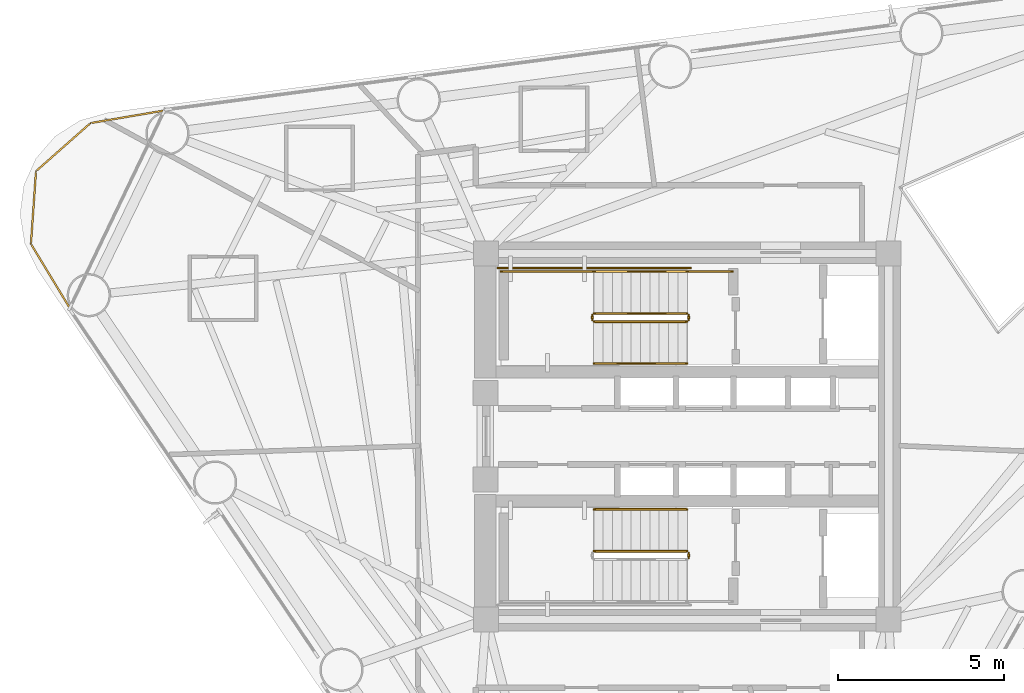
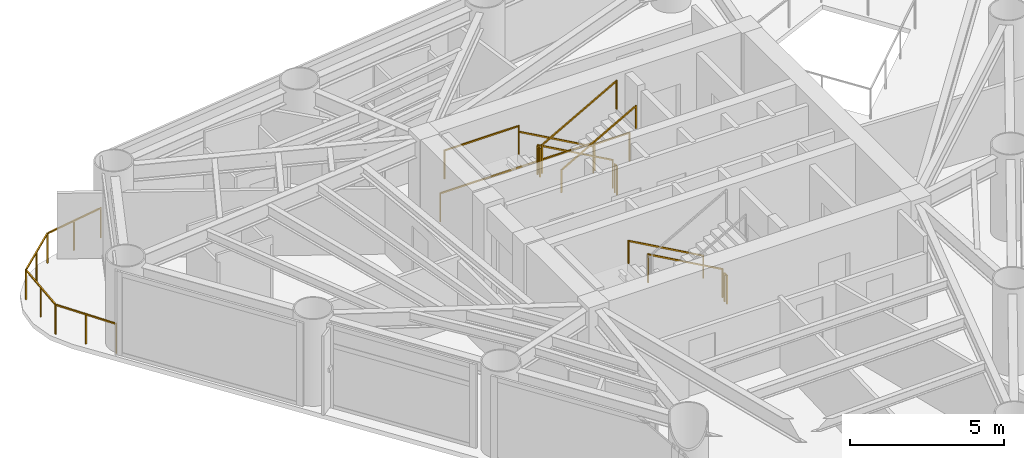
# One storey, part 8 of 9: 13 railings.
"""IFC4 building model written with IfcOpenShell, lengths in metres."""

from ifc_helpers import new_model, si_unit, direction, frame, origin, origin_2d, place, context, subcontext, project, spatial, rectangle, extrude, material, type_object, element, save


model = new_model("IFC4")

# Units and contexts
model_context = context("Model", 3, precision=1e-05, world=origin(), true_north=direction((0.0, 1.0)))
body_context = subcontext(model_context, "Body", "Model", "MODEL_VIEW")
ifc_project = project(units=[si_unit("LENGTHUNIT", "METRE"), si_unit("AREAUNIT", "SQUARE_METRE"), si_unit("VOLUMEUNIT", "CUBIC_METRE"), si_unit("PLANEANGLEUNIT", "RADIAN"), si_unit("MASSUNIT", "GRAM", prefix="KILO")], contexts=[model_context])

# Site, building, storey
site_placement = place(None, origin())
site = spatial("IfcSite", under=ifc_project, at=site_placement, CompositionType="ELEMENT")
building_placement = place(site_placement, origin())
building = spatial("IfcBuilding", under=site, at=building_placement, Name="Yunling Apex Tower", CompositionType="ELEMENT")
storey_placement = place(building_placement, frame((0.0, 0.0, 176.0)))
storey = spatial("IfcBuildingStorey", under=building, at=storey_placement, Name="L43", CompositionType="ELEMENT", Elevation=176.0)

# Railings
ifc_material_1 = material(Name="Bronze anodised aluminium", Category="aluminium")
railing_type_1 = type_object("IfcRailingType", Name="RL-BAL-1200", PredefinedType="BALUSTRADE", material=ifc_material_1)
railing_1_placement = place(storey_placement, frame((-18.567138671875, 3.859375, 0.0)))
element("IfcRailing", 1, at=railing_1_placement, inside=storey, type_object=railing_type_1, Name="RL-CRNSILL-L43-2", PredefinedType="BALUSTRADE", context=body_context, shape_type="SweptSolid", body=[
    extrude(rectangle(XDim=0.0439453125, YDim=0.0439453125, at=origin_2d()), origin(), (0.0, 0.0, 1.0), 1.199951171875),
    extrude(rectangle(XDim=0.0439453125, YDim=0.0439453125, at=origin_2d()), frame((-1.1669921875, 1.927001953125, 0.0)), (0.0, 0.0, 1.0), 1.199951171875),
    extrude(rectangle(XDim=0.050048828125, YDim=0.050048828125, at=origin_2d()), frame((-0.019775390625, 0.03271484375, 1.1748046875), z_axis=(-0.518013473605, 0.855372457566, 0.0), x_axis=(-0.855372457566, -0.518013473605, 0.0)), (0.0, 0.0, 1.0), 2.17626953125),
    extrude(rectangle(XDim=0.0439453125, YDim=0.0439453125, at=origin_2d()), frame((-0.58349609375, 0.96337890625, 0.0)), (0.0, 0.0, 1.0), 1.14599609375),
    extrude(rectangle(XDim=0.0439453125, YDim=0.0439453125, at=origin_2d()), frame((-1.015380859375, 4.114501953125, 0.0)), (0.0, 0.0, 1.0), 1.199951171875),
    extrude(rectangle(XDim=0.050048828125, YDim=0.050048828125, at=origin_2d()), frame((-1.164306640625, 1.96533203125, 1.1748046875), z_axis=(0.069142168872, 0.997606816578, 0.0), x_axis=(-0.997606816578, 0.069142168872, 0.0)), (0.0, 0.0, 1.0), 2.115966796875),
    extrude(rectangle(XDim=0.0439453125, YDim=0.0439453125, at=origin_2d()), frame((-1.09130859375, 3.020751953125, 0.0)), (0.0, 0.0, 1.0), 1.14599609375),
    extrude(rectangle(XDim=0.0439453125, YDim=0.0439453125, at=origin_2d()), frame((0.623046875, 5.560791015625, 0.0)), (0.0, 0.0, 1.0), 1.199951171875),
    extrude(rectangle(XDim=0.050048828125, YDim=0.050048828125, at=origin_2d()), frame((-0.986572265625, 4.139892578125, 1.1748046875), z_axis=(0.749697655483, 0.661780496361, 0.0), x_axis=(-0.661780496361, 0.749697655483, 0.0)), (0.0, 0.0, 1.0), 2.10888671875),
    extrude(rectangle(XDim=0.0439453125, YDim=0.0439453125, at=origin_2d()), frame((-0.1962890625, 4.837646484375, 0.0)), (0.0, 0.0, 1.0), 1.14599609375),
    extrude(rectangle(XDim=0.0439453125, YDim=0.0439453125, at=origin_2d()), frame((2.8447265625, 5.93896484375, 0.0)), (0.0, 0.0, 1.0), 1.199951171875),
    extrude(rectangle(XDim=0.050048828125, YDim=0.050048828125, at=origin_2d()), frame((0.660888671875, 5.567138671875, 1.1748046875), z_axis=(0.985820025914, 0.167806068147, 0.0), x_axis=(-0.167806068147, 0.985820025914, 0.0)), (0.0, 0.0, 1.0), 2.177001953125),
    extrude(rectangle(XDim=0.0439453125, YDim=0.0439453125, at=origin_2d()), frame((1.73388671875, 5.75, 0.0)), (0.0, 0.0, 1.0), 1.14599609375),
])
ifc_material_2 = material(Name="Steel Q355B", Category="steel")
railing_type_2 = type_object("IfcRailingType", Name="RL-GRD-1150", PredefinedType="GUARDRAIL", material=ifc_material_2)
railing_2_placement = place(storey_placement, frame((-0.010009765625, 3.699951171875, 0.15673828125)))
element("IfcRailing", 2, at=railing_2_placement, inside=storey, type_object=railing_type_2, Name="L43 ST-1 stair guard 1", PredefinedType="GUARDRAIL", context=body_context, shape_type="SweptSolid", body=[
    extrude(rectangle(XDim=0.0439453125, YDim=0.0439453125, at=origin_2d()), origin(), (0.0, 0.0, 1.0), 1.14990234375),
    extrude(rectangle(XDim=0.0439453125, YDim=0.0439453125, at=origin_2d()), frame((-2.800048828125, 0.0, 1.568359375)), (0.0, 0.0, 1.0), 1.14990234375),
    extrude(rectangle(XDim=0.050048828125, YDim=0.050048828125, at=origin_2d()), frame((-0.033447265625, 0.0, 1.1435546875), z_axis=(-0.872461907711, 0.0, 0.488682125306), x_axis=(0.0, -1.0, 0.0)), (0.0, 0.0, 1.0), 3.1328125),
])
railing_3_placement = place(storey_placement, frame((-2.860107421875, 3.64990234375, 1.72509765625)))
element("IfcRailing", 3, at=railing_3_placement, inside=storey, type_object=railing_type_2, Name="L43 ST-1 stair guard 2", PredefinedType="GUARDRAIL", context=body_context, shape_type="SweptSolid", body=[
    extrude(rectangle(XDim=0.0439453125, YDim=0.0439453125, at=origin_2d()), origin(), (0.0, 0.0, 1.0), 1.14990234375),
    extrude(rectangle(XDim=0.0439453125, YDim=0.0439453125, at=origin_2d()), frame((0.0, -0.14990234375, 0.0)), (0.0, 0.0, 1.0), 1.14990234375),
    extrude(rectangle(XDim=0.050048828125, YDim=0.050048828125, at=origin_2d()), frame((0.0, -0.038330078125, 1.125), z_axis=(0.0, -1.0, 0.0), x_axis=(1.0, 0.0, 0.0)), (0.0, 0.0, 1.0), 0.0732421875),
])
railing_4_placement = place(storey_placement, frame((-2.81005859375, 4.9599609375, 1.72509765625)))
element("IfcRailing", 4, at=railing_4_placement, inside=storey, type_object=railing_type_2, Name="L43 ST-1 stair guard 3", PredefinedType="GUARDRAIL", context=body_context, shape_type="SweptSolid", body=[
    extrude(rectangle(XDim=0.0439453125, YDim=0.0439453125, at=origin_2d()), origin(), (0.0, 0.0, 1.0), 1.14990234375),
    extrude(rectangle(XDim=0.0439453125, YDim=0.0439453125, at=origin_2d()), frame((-2.7900390625, 0.0, 0.0)), (0.0, 0.0, 1.0), 1.14990234375),
    extrude(rectangle(XDim=0.050048828125, YDim=0.050048828125, at=origin_2d()), frame((-0.038330078125, 0.0, 1.125), z_axis=(-1.0, 0.0, 0.0), x_axis=(0.0, -1.0, 0.0)), (0.0, 0.0, 1.0), 2.71337890625),
])
railing_5_placement = place(storey_placement, frame((-2.81005859375, 3.449951171875, 1.8818359375)))
element("IfcRailing", 5, at=railing_5_placement, inside=storey, type_object=railing_type_2, Name="L43 ST-1 stair guard 4", PredefinedType="GUARDRAIL", context=body_context, shape_type="SweptSolid", body=[
    extrude(rectangle(XDim=0.0439453125, YDim=0.0439453125, at=origin_2d()), origin(), (0.0, 0.0, 1.0), 1.14990234375),
    extrude(rectangle(XDim=0.0439453125, YDim=0.0439453125, at=origin_2d()), frame((2.800048828125, 0.0, 1.568115234375)), (0.0, 0.0, 1.0), 1.14990234375),
    extrude(rectangle(XDim=0.050048828125, YDim=0.050048828125, at=origin_2d()), frame((0.033447265625, 0.0, 1.1435546875), z_axis=(0.872494340497, 0.0, 0.48862421737), x_axis=(0.0, 1.0, 0.0)), (0.0, 0.0, 1.0), 3.132568359375),
])
railing_6_placement = place(storey_placement, frame((0.0400390625, 3.64990234375, 0.0)))
element("IfcRailing", 6, at=railing_6_placement, inside=storey, type_object=railing_type_2, Name="L43 ST-1 stair guard 5", PredefinedType="GUARDRAIL", context=body_context, shape_type="SweptSolid", body=[
    extrude(rectangle(XDim=0.0439453125, YDim=0.0439453125, at=origin_2d()), origin(), (0.0, 0.0, 1.0), 1.14990234375),
    extrude(rectangle(XDim=0.0439453125, YDim=0.0439453125, at=origin_2d()), frame((0.0, -0.14990234375, 0.0)), (0.0, 0.0, 1.0), 1.14990234375),
    extrude(rectangle(XDim=0.050048828125, YDim=0.050048828125, at=origin_2d()), frame((0.0, -0.038330078125, 1.125), z_axis=(0.0, -1.0, 0.0), x_axis=(1.0, 0.0, 0.0)), (0.0, 0.0, 1.0), 0.0732421875),
])
railing_7_placement = place(storey_placement, frame((1.35009765625, 4.9599609375, 0.0)))
element("IfcRailing", 7, at=railing_7_placement, inside=storey, type_object=railing_type_2, Name="L43 ST-1 stair guard 6", PredefinedType="GUARDRAIL", context=body_context, shape_type="SweptSolid", body=[
    extrude(rectangle(XDim=0.0439453125, YDim=0.0439453125, at=origin_2d()), origin(), (0.0, 0.0, 1.0), 1.14990234375),
    extrude(rectangle(XDim=0.0439453125, YDim=0.0439453125, at=origin_2d()), frame((-1.360107421875, 0.0, 0.0)), (0.0, 0.0, 1.0), 1.14990234375),
    extrude(rectangle(XDim=0.050048828125, YDim=0.050048828125, at=origin_2d()), frame((-0.038330078125, 0.0, 1.125), z_axis=(-1.0, 0.0, 0.0), x_axis=(0.0, -1.0, 0.0)), (0.0, 0.0, 1.0), 1.283447265625),
])
railing_8_placement = place(storey_placement, frame((0.090087890625, 5.06005859375, 0.0)))
element("IfcRailing", 8, at=railing_8_placement, inside=storey, type_object=railing_type_2, Name="L43 ST-1 stair guard 7", PredefinedType="GUARDRAIL", context=body_context, shape_type="SweptSolid", body=[
    extrude(rectangle(XDim=0.0439453125, YDim=0.0439453125, at=origin_2d()), origin(), (0.0, 0.0, 1.0), 1.14990234375),
    extrude(rectangle(XDim=0.0439453125, YDim=0.0439453125, at=origin_2d()), frame((-5.7900390625, 0.0, 0.0)), (0.0, 0.0, 1.0), 1.14990234375),
    extrude(rectangle(XDim=0.050048828125, YDim=0.050048828125, at=origin_2d()), frame((-0.038330078125, 0.0, 1.125), z_axis=(-1.0, 0.0, 0.0), x_axis=(0.0, -1.0, 0.0)), (0.0, 0.0, 1.0), 5.71337890625),
])
railing_9_placement = place(storey_placement, frame((-0.010009765625, -3.449951171875, 0.15673828125)))
element("IfcRailing", 9, at=railing_9_placement, inside=storey, type_object=railing_type_2, Name="L43 ST-2 stair guard 1", PredefinedType="GUARDRAIL", context=body_context, shape_type="SweptSolid", body=[
    extrude(rectangle(XDim=0.0439453125, YDim=0.0439453125, at=origin_2d()), origin(), (0.0, 0.0, 1.0), 1.14990234375),
    extrude(rectangle(XDim=0.0439453125, YDim=0.0439453125, at=origin_2d()), frame((-2.800048828125, 0.0, 1.568359375)), (0.0, 0.0, 1.0), 1.14990234375),
    extrude(rectangle(XDim=0.050048828125, YDim=0.050048828125, at=origin_2d()), frame((-0.033447265625, 0.0, 1.1435546875), z_axis=(-0.872461907711, 0.0, 0.488682125306), x_axis=(0.0, -1.0, 0.0)), (0.0, 0.0, 1.0), 3.1328125),
])
railing_10_placement = place(storey_placement, frame((0.0400390625, -3.5, 0.0)))
element("IfcRailing", 10, at=railing_10_placement, inside=storey, type_object=railing_type_2, Name="L43 ST-2 stair guard 5", PredefinedType="GUARDRAIL", context=body_context, shape_type="SweptSolid", body=[
    extrude(rectangle(XDim=0.0439453125, YDim=0.0439453125, at=origin_2d()), origin(), (0.0, 0.0, 1.0), 1.14990234375),
    extrude(rectangle(XDim=0.0439453125, YDim=0.0439453125, at=origin_2d()), frame((0.0, -0.14990234375, 0.0)), (0.0, 0.0, 1.0), 1.14990234375),
    extrude(rectangle(XDim=0.050048828125, YDim=0.050048828125, at=origin_2d()), frame((0.0, -0.038330078125, 1.125), z_axis=(0.0, -1.0, 0.0), x_axis=(1.0, 0.0, 0.0)), (0.0, 0.0, 1.0), 0.0732421875),
])
ifc_material_3 = material(Name="Silver anodised aluminium", Category="aluminium")
railing_type_3 = type_object("IfcRailingType", Name="RL-HND-900", PredefinedType="HANDRAIL", material=ifc_material_3)
railing_11_placement = place(storey_placement, frame((-0.010009765625, 4.9599609375, 0.15673828125)))
element("IfcRailing", 11, at=railing_11_placement, inside=storey, type_object=railing_type_3, Name="L43 ST-1 stair handrail 1", PredefinedType="HANDRAIL", context=body_context, shape_type="SweptSolid", body=[
    extrude(rectangle(XDim=0.0439453125, YDim=0.0439453125, at=origin_2d()), origin(), (0.0, 0.0, 1.0), 0.919921875),
    extrude(rectangle(XDim=0.0439453125, YDim=0.0439453125, at=origin_2d()), frame((-2.800048828125, 0.0, 1.568359375)), (0.0, 0.0, 1.0), 0.919921875),
    extrude(rectangle(XDim=0.050048828125, YDim=0.050048828125, at=origin_2d()), frame((-0.033447265625, 0.0, 0.91357421875), z_axis=(-0.872461907711, 0.0, 0.488682125306), x_axis=(0.0, -1.0, 0.0)), (0.0, 0.0, 1.0), 3.1328125),
])
railing_12_placement = place(storey_placement, frame((-2.81005859375, 2.18994140625, 1.8818359375)))
element("IfcRailing", 12, at=railing_12_placement, inside=storey, type_object=railing_type_3, Name="L43 ST-1 stair handrail 2", PredefinedType="HANDRAIL", context=body_context, shape_type="SweptSolid", body=[
    extrude(rectangle(XDim=0.0439453125, YDim=0.0439453125, at=origin_2d()), origin(), (0.0, 0.0, 1.0), 0.919921875),
    extrude(rectangle(XDim=0.0439453125, YDim=0.0439453125, at=origin_2d()), frame((2.800048828125, 0.0, 1.568115234375)), (0.0, 0.0, 1.0), 0.919921875),
    extrude(rectangle(XDim=0.050048828125, YDim=0.050048828125, at=origin_2d()), frame((0.033447265625, 0.0, 0.91357421875), z_axis=(0.872494340497, 0.0, 0.48862421737), x_axis=(0.0, 1.0, 0.0)), (0.0, 0.0, 1.0), 3.132568359375),
])
railing_13_placement = place(storey_placement, frame((-0.010009765625, -2.18994140625, 0.15673828125)))
element("IfcRailing", 13, at=railing_13_placement, inside=storey, type_object=railing_type_3, Name="L43 ST-2 stair handrail 1", PredefinedType="HANDRAIL", context=body_context, shape_type="SweptSolid", body=[
    extrude(rectangle(XDim=0.0439453125, YDim=0.0439453125, at=origin_2d()), origin(), (0.0, 0.0, 1.0), 0.919921875),
    extrude(rectangle(XDim=0.0439453125, YDim=0.0439453125, at=origin_2d()), frame((-2.800048828125, 0.0, 1.568359375)), (0.0, 0.0, 1.0), 0.919921875),
    extrude(rectangle(XDim=0.050048828125, YDim=0.050048828125, at=origin_2d()), frame((-0.033447265625, 0.0, 0.91357421875), z_axis=(-0.872461907711, 0.0, 0.488682125306), x_axis=(0.0, -1.0, 0.0)), (0.0, 0.0, 1.0), 3.1328125),
])

save(model, "model.ifc")
